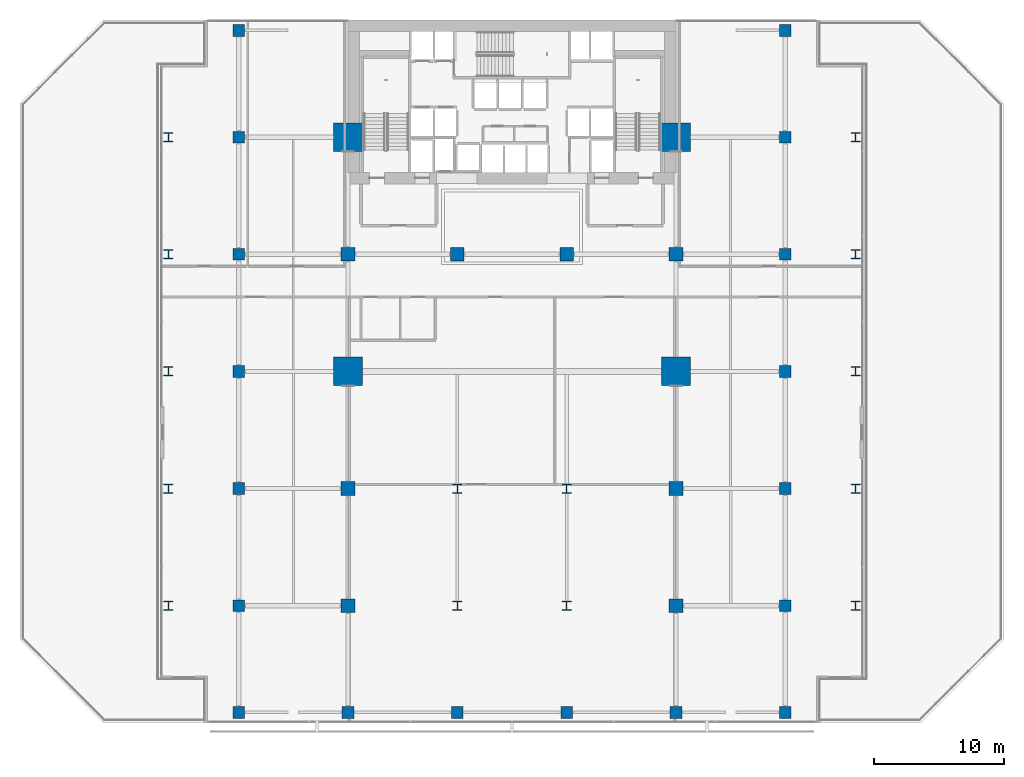
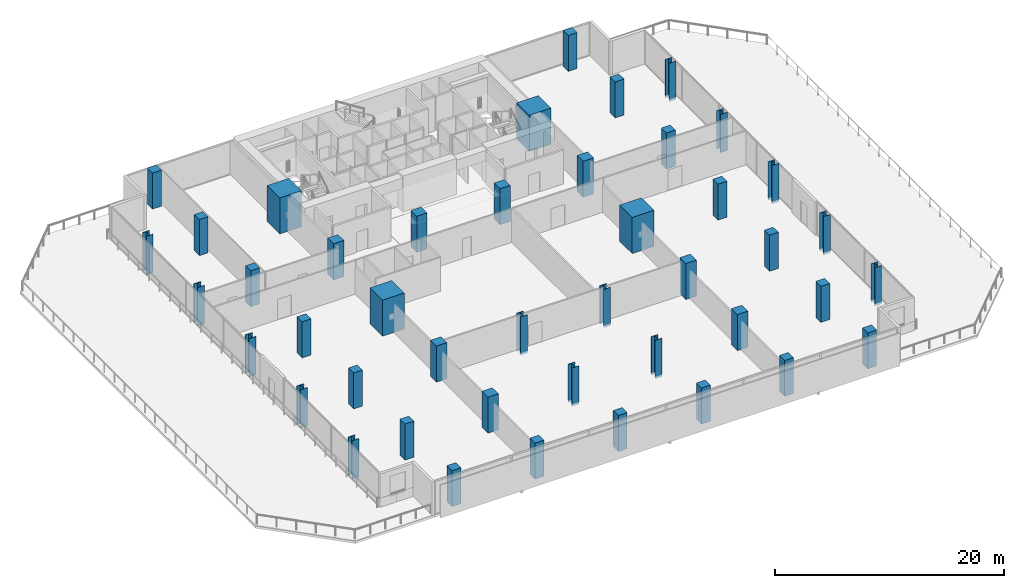
# One storey, part 1 of 31: 44 columns.
"""IFC4 building model written with IfcOpenShell, lengths in metres."""

import ifcopenshell
import ifcopenshell.guid

model = None  # the IFC model being written
_history = None  # IfcOwnerHistory: only IFC2X3 demands one
_inside = {}  # id of a spatial element -> (the spatial element, [elements in it])
_under = {}  # id of a project, library or spatial element -> (it, [spatial elements below it])
_declared = {}  # id of a project -> (the project, [libraries it declares])
_typed = {}  # id of a type object -> (the type object, [elements of that type])
_made_of = {}  # id of a material, layer set ... -> (it, [elements and type objects made of it])


def new_model(schema):
    """Start an empty IFC model of exactly this schema.

    Asked for "IFC4X3", IfcOpenShell would pick the latest addendum, in which some entities
    have other attributes; the version numbers below select the first issue.
    IFC2X3 requires an IfcOwnerHistory on every rooted entity: one is made here for all.
    """
    global model, _history
    if schema == "IFC4X3":
        model = ifcopenshell.file(schema_version=(4, 3, 0, 0))
    else:
        model = ifcopenshell.file(schema=schema)
    _inside.clear()
    _under.clear()
    _declared.clear()
    _typed.clear()
    _made_of.clear()
    _history = None
    if model.schema == "IFC2X3":
        org = make("IfcOrganization", Name="unknown")
        user = make(
            "IfcPersonAndOrganization",
            ThePerson=make("IfcPerson", FamilyName="unknown"),
            TheOrganization=org,
        )
        app = make(
            "IfcApplication",
            ApplicationDeveloper=org,
            Version="unknown",
            ApplicationFullName="unknown",
            ApplicationIdentifier="unknown",
        )
        _history = make(
            "IfcOwnerHistory",
            OwningUser=user,
            OwningApplication=app,
            ChangeAction="ADDED",
            CreationDate=0,
        )
    return model


def make(cls, **values):
    """One entity of the class cls with the attributes given. An attribute that is None is left unset."""
    return model.create_entity(
        cls, **{name: value for name, value in values.items() if value is not None}
    )


def rooted(cls, **values):
    """An entity with a GlobalId (a new one), such as an element, a storey or a relation."""
    return make(cls, GlobalId=ifcopenshell.guid.new(), OwnerHistory=_history, **values)


def si_unit(unit_type, name, prefix=None):
    """IfcSIUnit, for example si_unit("LENGTHUNIT", "METRE", prefix="MILLI")."""
    return make("IfcSIUnit", UnitType=unit_type, Prefix=prefix, Name=name)


def assignment(units):
    """IfcUnitAssignment: the units of a project."""
    return None if units is None else make("IfcUnitAssignment", Units=units)


def point(xyz):
    """IfcCartesianPoint."""
    return None if xyz is None else make("IfcCartesianPoint", Coordinates=xyz)


def direction(xyz):
    """IfcDirection."""
    return None if xyz is None else make("IfcDirection", DirectionRatios=xyz)


def frame(location, z_axis=None, x_axis=None):
    """IfcAxis2Placement3D, a coordinate frame: its origin and axes. An axis left out is left unset."""
    return make(
        "IfcAxis2Placement3D",
        Location=point(location),
        Axis=direction(z_axis),
        RefDirection=direction(x_axis),
    )


def frame_2d(location, x_axis=None):
    """IfcAxis2Placement2D, a coordinate frame in the plane: its origin and x axis."""
    return make(
        "IfcAxis2Placement2D", Location=point(location), RefDirection=direction(x_axis)
    )


def origin():
    """The frame at (0, 0, 0) with its axes left unset."""
    return frame((0.0, 0.0, 0.0))


def origin_2d():
    """The frame at (0, 0) in the plane with its x axis left unset."""
    return frame_2d((0.0, 0.0))


def place(relative_to, where):
    """IfcLocalPlacement: puts the frame where relative to a parent placement (None: the world)."""
    return make(
        "IfcLocalPlacement", PlacementRelTo=relative_to, RelativePlacement=where
    )


def context(
    kind, dimensions, precision=None, world=None, true_north=None, identifier=None
):
    """IfcGeometricRepresentationContext, for example the 3D "Model" context."""
    return make(
        "IfcGeometricRepresentationContext",
        ContextIdentifier=identifier,
        ContextType=kind,
        CoordinateSpaceDimension=dimensions,
        Precision=precision,
        WorldCoordinateSystem=world,
        TrueNorth=true_north,
    )


def subcontext(parent, identifier, kind, view, scale=None):
    """IfcGeometricRepresentationSubContext, for example "Body" below "Model"."""
    return make(
        "IfcGeometricRepresentationSubContext",
        ContextIdentifier=identifier,
        ContextType=kind,
        ParentContext=parent,
        TargetScale=scale,
        TargetView=view,
    )


def project(units=None, contexts=None):
    """IfcProject with its units and contexts."""
    return rooted(
        "IfcProject",
        Name="project",
        RepresentationContexts=contexts,
        UnitsInContext=assignment(units),
    )


def spatial(cls, under=None, at=None, **own):
    """A site, building, storey or space (cls), placed at a placement, below another one or the project."""
    s = rooted(cls, ObjectPlacement=at, **own)
    if under is not None:
        _under.setdefault(under.id(), (under, []))[1].append(s)
    return s


def profile(cls, at=None, kind="AREA", **sizes):
    """A parametric profile (cls). Its sizes go by their IFC names, for example OverallWidth=200.0."""
    return make(cls, ProfileType=kind, Position=at, **sizes)


def rectangle(**sizes):
    """IfcRectangleProfileDef."""
    return profile("IfcRectangleProfileDef", **sizes)


def i_section(**sizes):
    """IfcIShapeProfileDef."""
    return profile("IfcIShapeProfileDef", **sizes)


def extrude(swept, where, along, depth):
    """IfcExtrudedAreaSolid: the profile swept, set in the frame where, extruded along a direction by depth."""
    return make(
        "IfcExtrudedAreaSolid",
        SweptArea=swept,
        Position=where,
        ExtrudedDirection=direction(along),
        Depth=depth,
    )


def shape(context_of_items, identifier, shape_type, items):
    """IfcShapeRepresentation: the items that make up one representation, for example the "Body"."""
    return make(
        "IfcShapeRepresentation",
        ContextOfItems=context_of_items,
        RepresentationIdentifier=identifier,
        RepresentationType=shape_type,
        Items=items,
    )


def material(Name=None, Category=None):
    """IfcMaterial."""
    return make("IfcMaterial", Name=Name, Category=Category)


def material_profile(
    of_material, cross_section, Name=None, Category=None, Priority=None
):
    """IfcMaterialProfile: a cross section and its material."""
    return make(
        "IfcMaterialProfile",
        Name=Name,
        Material=of_material,
        Profile=cross_section,
        Priority=Priority,
        Category=Category,
    )


def profile_set(profiles, Name=None, composite=None):
    """IfcMaterialProfileSet."""
    return make(
        "IfcMaterialProfileSet",
        Name=Name,
        MaterialProfiles=profiles,
        CompositeProfile=composite,
    )


def made_of(thing, what):
    """Note that an element or type object is made of a material, layer set ...; save() writes the relation."""
    if what is not None:
        _made_of.setdefault(what.id(), (what, []))[1].append(thing)
    return thing


def type_object(cls, material=None, **own):
    """A type object (cls), such as IfcWallType, which elements share."""
    return made_of(rooted(cls, **own), material)


def element(
    cls,
    number,
    at=None,
    inside=None,
    cuts=None,
    type_object=None,
    material=None,
    context=None,
    identifier="Body",
    shape_type=None,
    held_by="IfcProductDefinitionShape",
    body=None,
    shapes=None,
    **own,
):
    """One element of the class cls, such as IfcWall. Its Tag is "e" and its number.

    at: its placement. inside: the storey or other place that contains it. cuts: it is an
    opening in that element (IfcRelVoidsElement). A single representation is given by context,
    identifier, shape_type and body (its items); several are given by shapes. held_by: the class
    of the entity that holds the representations. save() writes the other relations.
    """
    e = rooted(cls, Tag="e%d" % number, ObjectPlacement=at, **own)
    if body is not None:
        shapes = [shape(context, identifier, shape_type, body)]
    if shapes is not None:
        e.Representation = make(held_by, Representations=shapes)
    if inside is not None:
        _inside.setdefault(inside.id(), (inside, []))[1].append(e)
    if cuts is not None:
        rooted(
            "IfcRelVoidsElement", RelatingBuildingElement=cuts, RelatedOpeningElement=e
        )
    if type_object is not None:
        _typed.setdefault(type_object.id(), (type_object, []))[1].append(e)
    return made_of(e, material)


def aggregate(whole, parts):
    """IfcRelAggregates: a whole, such as a stair, and the parts it consists of."""
    return rooted("IfcRelAggregates", RelatingObject=whole, RelatedObjects=parts)


def save(model, path):
    """Write the relations noted so far, then the file.

    IfcRelAggregates (storeys below a building ...), IfcRelContainedInSpatialStructure (elements
    in a storey), IfcRelDefinesByType, IfcRelAssociatesMaterial and IfcRelDeclares: one each for
    every whole, place, type object, material and project.
    """
    for whole, parts in _under.values():
        aggregate(whole, parts)
    for where, things in _inside.values():
        rooted(
            "IfcRelContainedInSpatialStructure",
            RelatedElements=things,
            RelatingStructure=where,
        )
    for kind, things in _typed.values():
        rooted("IfcRelDefinesByType", RelatedObjects=things, RelatingType=kind)
    for what, things in _made_of.values():
        rooted("IfcRelAssociatesMaterial", RelatedObjects=things, RelatingMaterial=what)
    for by, libraries in _declared.values():
        rooted("IfcRelDeclares", RelatingContext=by, RelatedDefinitions=libraries)
    model.write(path)


model = new_model("IFC4")

# Units and contexts
model_context = context("Model", 3, precision=1e-05, world=origin(), true_north=direction((0.0, 1.0)))
body_context = subcontext(model_context, "Body", "Model", "MODEL_VIEW")
ifc_project = project(units=[si_unit("LENGTHUNIT", "METRE"), si_unit("AREAUNIT", "SQUARE_METRE"), si_unit("VOLUMEUNIT", "CUBIC_METRE"), si_unit("PLANEANGLEUNIT", "RADIAN"), si_unit("MASSUNIT", "GRAM", prefix="KILO")], contexts=[model_context])

# Site, building, storey
site_placement = place(None, origin())
site = spatial("IfcSite", under=ifc_project, at=site_placement, CompositionType="ELEMENT")
building_placement = place(site_placement, origin())
building = spatial("IfcBuilding", under=site, at=building_placement, Name="Maruvema Waterfront Hotel and Observation Tower", CompositionType="ELEMENT")
storey_placement = place(building_placement, frame((0.0, 0.0, 26.949951171875)))
storey = spatial("IfcBuildingStorey", under=building, at=storey_placement, Name="L05", CompositionType="ELEMENT", Elevation=26.949951171875)

# Columns
ifc_material_1 = material(Name="Concrete C80/95", Category="concrete")
ifc_material_profile_1 = material_profile(ifc_material_1, rectangle(XDim=2.199951171875, YDim=2.199951171875, at=origin_2d()), Name="MC2200x2200")
ifc_profile_set_1 = profile_set([ifc_material_profile_1], Name="Concrete C80/95")
column_type_1 = type_object("IfcColumnType", Name="Continuous Mega-Column MC2200x2200", PredefinedType="COLUMN", material=ifc_profile_set_1)
for number, where, z_axis, x_axis, name in (
    (1, (25.199951171875, 27.0, 0.0), (0.0, 0.0, 1.0), (1.0, 0.0, 0.0), "L05 Continuous Mega-Column MC-01"),
    (2, (50.39990234375, 27.0, 0.0), (0.0, 0.0, 1.0), (1.0, 0.0, 0.0), "L05 Continuous Mega-Column MC-02"),
    (3, (25.199951171875, 45.0, 0.0), (0.0, 0.0, 1.0), (1.0, 0.0, 0.0), "L05 Continuous Mega-Column MC-03"),
    (4, (50.39990234375, 45.0, 0.0), (0.0, 0.0, 1.0), (1.0, 0.0, 0.0), "L05 Continuous Mega-Column MC-04"),
):
    element("IfcColumn", number, at=place(storey_placement, frame(where, z_axis=z_axis, x_axis=x_axis)), inside=storey, type_object=column_type_1, Name=name, PredefinedType="COLUMN", context=body_context, shape_type="SweptSolid", body=[
        extrude(rectangle(XDim=2.199951171875, YDim=2.199951171875, at=origin_2d()), origin(), (0.0, 0.0, 1.0), 3.85009765625),
    ])
ifc_material_2 = material(Name="Concrete C60/75", Category="concrete")
ifc_material_profile_2 = material_profile(ifc_material_2, rectangle(XDim=1.050048828125, YDim=1.050048828125, at=origin_2d()), Name="RC1050x1050")
ifc_profile_set_2 = profile_set([ifc_material_profile_2], Name="Concrete C60/75")
column_type_2 = type_object("IfcColumnType", Name="Reinforced Concrete Column RC1050x1050", PredefinedType="COLUMN", material=ifc_profile_set_2)
for number, where, z_axis, x_axis, name in (
    (5, (25.199951171875, 36.0, 0.0), (0.0, 0.0, 1.0), (1.0, 0.0, 0.0), "L05 Column C-4E"),
    (6, (33.60009765625, 36.0, 0.0), (0.0, 0.0, 1.0), (1.0, 0.0, 0.0), "L05 Column C-5E"),
    (7, (42.0, 36.0, 0.0), (0.0, 0.0, 1.0), (1.0, 0.0, 0.0), "L05 Column C-6E"),
    (8, (50.39990234375, 36.0, 0.0), (0.0, 0.0, 1.0), (1.0, 0.0, 0.0), "L05 Column C-7E"),
    (9, (25.199951171875, 18.0, 0.0), (0.0, 0.0, 1.0), (1.0, 0.0, 0.0), "L05 Column C-4C"),
    (10, (50.39990234375, 18.0, 0.0), (0.0, 0.0, 1.0), (1.0, 0.0, 0.0), "L05 Column C-7C"),
    (11, (25.199951171875, 9.0, 0.0), (0.0, 0.0, 1.0), (1.0, 0.0, 0.0), "L05 Column C-4B"),
    (12, (50.39990234375, 9.0, 0.0), (0.0, 0.0, 1.0), (1.0, 0.0, 0.0), "L05 Column C-7B"),
):
    element("IfcColumn", number, at=place(storey_placement, frame(where, z_axis=z_axis, x_axis=x_axis)), inside=storey, type_object=column_type_2, Name=name, PredefinedType="COLUMN", context=body_context, shape_type="SweptSolid", body=[
        extrude(rectangle(XDim=1.050048828125, YDim=1.050048828125, at=origin_2d()), origin(), (0.0, 0.0, 1.0), 3.85009765625),
    ])
ifc_material_3 = material(Name="Concrete C60/75", Category="concrete")
ifc_material_profile_3 = material_profile(ifc_material_3, rectangle(XDim=0.89990234375, YDim=0.89990234375, at=origin_2d()), Name="RC900x900")
ifc_profile_set_3 = profile_set([ifc_material_profile_3], Name="Concrete C60/75")
column_type_3 = type_object("IfcColumnType", Name="Reinforced Concrete Column RC900x900", PredefinedType="COLUMN", material=ifc_profile_set_3)
for number, where, z_axis, x_axis, name in (
    (13, (16.800048828125, 9.0, 0.0), (0.0, 0.0, 1.0), (1.0, 0.0, 0.0), "L05 Column C-3Y9"),
    (14, (58.800048828125, 9.0, 0.0), (0.0, 0.0, 1.0), (1.0, 0.0, 0.0), "L05 Column C-8Y9"),
    (15, (16.800048828125, 18.0, 0.0), (0.0, 0.0, 1.0), (1.0, 0.0, 0.0), "L05 Column C-3Y18"),
    (16, (58.800048828125, 18.0, 0.0), (0.0, 0.0, 1.0), (1.0, 0.0, 0.0), "L05 Column C-8Y18"),
    (17, (16.800048828125, 27.0, 0.0), (0.0, 0.0, 1.0), (1.0, 0.0, 0.0), "L05 Column C-3Y27"),
    (18, (58.800048828125, 27.0, 0.0), (0.0, 0.0, 1.0), (1.0, 0.0, 0.0), "L05 Column C-8Y27"),
    (19, (16.800048828125, 36.0, 0.0), (0.0, 0.0, 1.0), (1.0, 0.0, 0.0), "L05 Column C-3Y36"),
    (20, (58.800048828125, 36.0, 0.0), (0.0, 0.0, 1.0), (1.0, 0.0, 0.0), "L05 Column C-8Y36"),
    (21, (16.800048828125, 45.0, 0.0), (0.0, 0.0, 1.0), (1.0, 0.0, 0.0), "L05 Column C-3Y45"),
    (22, (58.800048828125, 45.0, 0.0), (0.0, 0.0, 1.0), (1.0, 0.0, 0.0), "L05 Column C-8Y45"),
    (23, (16.800048828125, 0.800048828125, 0.0), (0.0, 0.0, 1.0), (1.0, 0.0, 0.0), "L05 Column C-3A"),
    (24, (25.199951171875, 0.800048828125, 0.0), (0.0, 0.0, 1.0), (1.0, 0.0, 0.0), "L05 Column C-4A"),
    (25, (33.60009765625, 0.800048828125, 0.0), (0.0, 0.0, 1.0), (1.0, 0.0, 0.0), "L05 Column C-5A"),
    (26, (42.0, 0.800048828125, 0.0), (0.0, 0.0, 1.0), (1.0, 0.0, 0.0), "L05 Column C-6A"),
    (27, (50.39990234375, 0.800048828125, 0.0), (0.0, 0.0, 1.0), (1.0, 0.0, 0.0), "L05 Column C-7A"),
    (28, (58.800048828125, 0.800048828125, 0.0), (0.0, 0.0, 1.0), (1.0, 0.0, 0.0), "L05 Column C-8A"),
    (29, (16.800048828125, 53.199951171875, 0.0), (0.0, 0.0, 1.0), (1.0, 0.0, 0.0), "L05 Column C-3G"),
    (30, (58.800048828125, 53.199951171875, 0.0), (0.0, 0.0, 1.0), (1.0, 0.0, 0.0), "L05 Column C-8G"),
):
    element("IfcColumn", number, at=place(storey_placement, frame(where, z_axis=z_axis, x_axis=x_axis)), inside=storey, type_object=column_type_3, Name=name, PredefinedType="COLUMN", context=body_context, shape_type="SweptSolid", body=[
        extrude(rectangle(XDim=0.89990234375, YDim=0.89990234375, at=origin_2d()), origin(), (0.0, 0.0, 1.0), 3.85009765625),
    ])
ifc_material_4 = material(Name="Steel ABNT NBR 7007 AR 415 (ASTM A572 Grade 50)", Category="steel")
ifc_material_profile_4 = material_profile(ifc_material_4, i_section(OverallWidth=0.699951171875, OverallDepth=0.699951171875, WebThickness=0.028076171875, FlangeThickness=0.0439453125, at=origin_2d()), Name="CVS700x436")
ifc_profile_set_4 = profile_set([ifc_material_profile_4], Name="Steel ABNT NBR 7007 AR 415 (ASTM A572 Grade 50)")
column_type_4 = type_object("IfcColumnType", Name="Structural Steel Column CVS700x436", PredefinedType="COLUMN", material=ifc_profile_set_4)
for number, where, z_axis, x_axis, name in (
    (31, (33.60009765625, 9.0, -0.239990234375), (0.0, 0.0, 1.0), (1.0, 0.0, 0.0), "L05 Column C-5B"),
    (32, (42.0, 9.0, -0.239990234375), (0.0, 0.0, 1.0), (1.0, 0.0, 0.0), "L05 Column C-6B"),
    (33, (33.60009765625, 18.0, -0.239990234375), (0.0, 0.0, 1.0), (1.0, 0.0, 0.0), "L05 Column C-5C"),
    (34, (42.0, 18.0, -0.239990234375), (0.0, 0.0, 1.0), (1.0, 0.0, 0.0), "L05 Column C-6C"),
    (35, (11.39990234375, 9.0, -0.239990234375), (0.0, 0.0, 1.0), (1.0, 0.0, 0.0), "L05 Column C-Z1W9"),
    (36, (64.199951171875, 9.0, -0.239990234375), (0.0, 0.0, 1.0), (1.0, 0.0, 0.0), "L05 Column C-Z1E9"),
    (37, (11.39990234375, 18.0, -0.239990234375), (0.0, 0.0, 1.0), (1.0, 0.0, 0.0), "L05 Column C-Z1W18"),
    (38, (64.199951171875, 18.0, -0.239990234375), (0.0, 0.0, 1.0), (1.0, 0.0, 0.0), "L05 Column C-Z1E18"),
    (39, (11.39990234375, 27.0, -0.239990234375), (0.0, 0.0, 1.0), (1.0, 0.0, 0.0), "L05 Column C-Z1W27"),
    (40, (64.199951171875, 27.0, -0.239990234375), (0.0, 0.0, 1.0), (1.0, 0.0, 0.0), "L05 Column C-Z1E27"),
    (41, (11.39990234375, 36.0, -0.239990234375), (0.0, 0.0, 1.0), (1.0, 0.0, 0.0), "L05 Column C-Z1W36"),
    (42, (64.199951171875, 36.0, -0.239990234375), (0.0, 0.0, 1.0), (1.0, 0.0, 0.0), "L05 Column C-Z1E36"),
    (43, (11.39990234375, 45.0, -0.239990234375), (0.0, 0.0, 1.0), (1.0, 0.0, 0.0), "L05 Column C-Z1W45"),
    (44, (64.199951171875, 45.0, -0.239990234375), (0.0, 0.0, 1.0), (1.0, 0.0, 0.0), "L05 Column C-Z1E45"),
):
    element("IfcColumn", number, at=place(storey_placement, frame(where, z_axis=z_axis, x_axis=x_axis)), inside=storey, type_object=column_type_4, Name=name, PredefinedType="COLUMN", context=body_context, shape_type="SweptSolid", body=[
        extrude(i_section(OverallWidth=0.699951171875, OverallDepth=0.699951171875, WebThickness=0.028076171875, FlangeThickness=0.0439453125, at=origin_2d()), origin(), (0.0, 0.0, 1.0), 4.090087890625),
    ])

save(model, "model.ifc")
